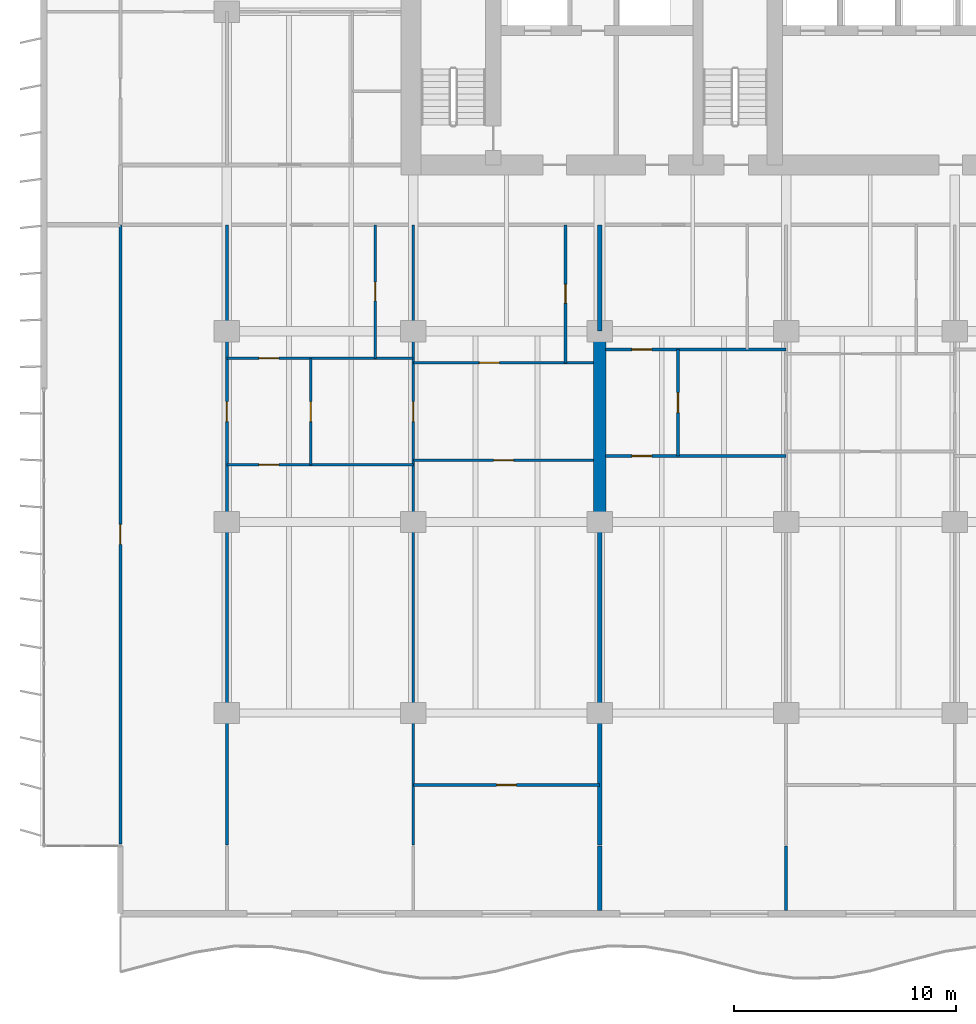
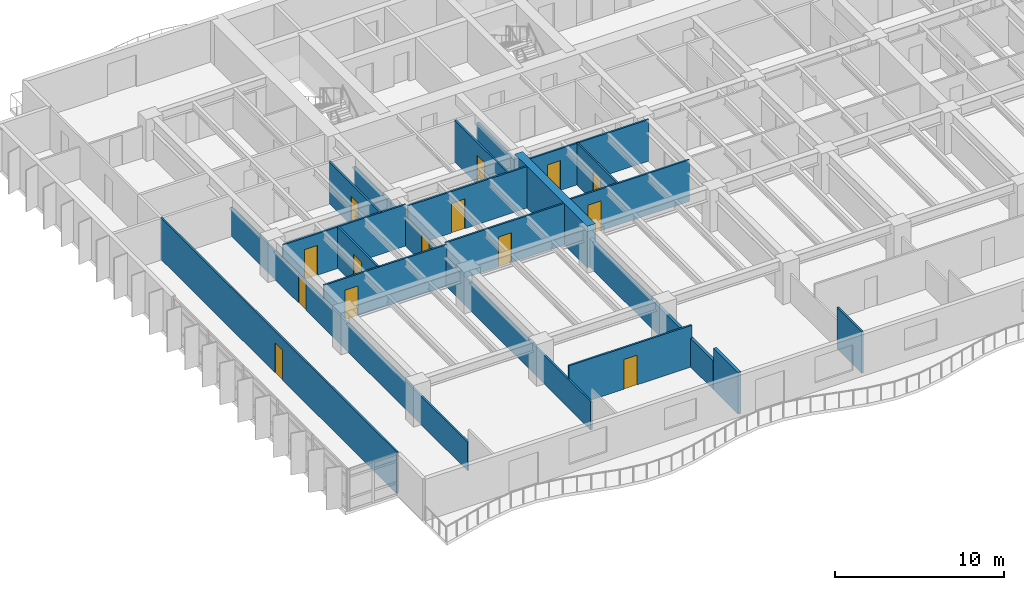
# One storey, part 6 of 15: 19 walls, 14 doors, 14 openings.
"""IFC4 building model written with IfcOpenShell, lengths in metres."""

from ifc_helpers import new_model, si_unit, direction, frame, frame_2d, origin, place, context, subcontext, project, spatial, rectangle, extrude, material, layer, layer_set, type_object, element, fill, save


model = new_model("IFC4")

# Units and contexts
model_context = context("Model", 3, precision=1e-05, world=origin(), true_north=direction((0.0, 1.0)))
body_context = subcontext(model_context, "Body", "Model", "MODEL_VIEW")
ifc_project = project(units=[si_unit("LENGTHUNIT", "METRE"), si_unit("AREAUNIT", "SQUARE_METRE"), si_unit("VOLUMEUNIT", "CUBIC_METRE"), si_unit("PLANEANGLEUNIT", "RADIAN"), si_unit("MASSUNIT", "GRAM", prefix="KILO")], contexts=[model_context])

# Site, building, storey
site_placement = place(None, origin())
site = spatial("IfcSite", under=ifc_project, at=site_placement, CompositionType="ELEMENT")
building_placement = place(site_placement, origin())
building = spatial("IfcBuilding", under=site, at=building_placement, Name="Caelmar Bay Residences", CompositionType="ELEMENT")
storey_placement = place(building_placement, frame((0.0, 0.0, 76.199951171875)))
storey = spatial("IfcBuildingStorey", under=building, at=storey_placement, Name="L20", CompositionType="ELEMENT", Elevation=76.199951171875)

# Wall
ifc_material_1 = material(Name="Concrete f'c 70 MPa (10,000 psi)", Category="concrete")
ifc_layer_1 = layer(ifc_material_1, 0.550048828125)
ifc_layer_set_1 = layer_set([ifc_layer_1], Name="Concrete f'c 70 MPa (10,000 psi)")
wall_type_1 = type_object("IfcWallType", Name="SW-XSLB-550", PredefinedType="SHEAR", material=ifc_layer_set_1)
wall_1_placement = place(storey_placement, frame((26.699951171875, 20.800048828125, 0.0), z_axis=(0.0, 0.0, 1.0), x_axis=(0.0, 1.0, 0.0)))
element("IfcWall", 1, at=wall_1_placement, inside=storey, type_object=wall_type_1, Name="L20 Transverse Cross-Slab Shear Wall W5", PredefinedType="SHEAR", context=body_context, shape_type="SweptSolid", body=[
    extrude(rectangle(XDim=8.599853515625, YDim=0.550048828125, at=frame_2d((4.2998046875, 0.0))), origin(), (0.0, 0.0, 1.0), 3.0),
])

# Wall, opening, door
ifc_material_2 = material(Name="Acoustic metal-stud gypsum partition 120 mm")
ifc_layer_2 = layer(ifc_material_2, 0.1201171875)
ifc_layer_set_2 = layer_set([ifc_layer_2], Name="Acoustic metal-stud gypsum partition 120 mm")
wall_type_2 = type_object("IfcWallType", Name="W-PRT-120", PredefinedType="PARTITIONING", material=ifc_layer_set_2)
wall_2_placement = place(storey_placement, frame((5.10009765625, 6.284912109375, 0.0), z_axis=(0.0, 0.0, 1.0), x_axis=(0.0, 1.0, 0.0)))
wall_2 = element("IfcWall", 2, at=wall_2_placement, inside=storey, type_object=wall_type_2, Name="L20 Partition Wall V001", PredefinedType="PARTITIONING", context=body_context, shape_type="SweptSolid", body=[
    extrude(rectangle(XDim=27.9150390625, YDim=0.1201171875, at=frame_2d((13.95751953125, 0.0))), origin(), (0.0, 0.0, 1.0), 3.0),
])
opening_1_placement = place(wall_2_placement, frame((13.507568359375, 0.0, 0.0)))
opening_1 = element("IfcOpeningElement", 3, at=opening_1_placement, cuts=wall_2, Name="Opening D-L20-158", PredefinedType="OPENING", context=body_context, shape_type="SweptSolid", body=[
    extrude(rectangle(XDim=0.89990234375, YDim=2.14990234375, at=frame_2d((0.449951171875, 1.074951171875))), frame((0.0, 0.070068359375, 0.0), z_axis=(0.0, -1.0, 0.0), x_axis=(1.0, 0.0, 0.0)), (0.0, 0.0, 1.0), 0.14013671875),
])
ifc_material_3 = material(Name="Solid walnut timber interior door leaf and frame", Category="wood")
ifc_layer_3 = layer(ifc_material_3, 0.050048828125)
ifc_layer_set_3 = layer_set([ifc_layer_3], Name="Solid walnut timber interior door leaf and frame")
door_type_1 = type_object("IfcDoorType", Name="D-ROOM-900", OperationType="NOTDEFINED", PredefinedType="DOOR", material=ifc_layer_set_3)
door_1_placement = place(opening_1_placement, origin())
door_1 = element("IfcDoor", 4, at=door_1_placement, inside=storey, type_object=door_type_1, Name="L20 Residence 01 Penthouse West Salon Door", OperationType="SINGLE_SWING_LEFT", OverallHeight=2.14990234375, OverallWidth=0.89990234375, PredefinedType="DOOR", context=body_context, shape_type="SweptSolid", body=[
    extrude(rectangle(XDim=0.89990234375, YDim=2.14990234375, at=frame_2d((0.449951171875, 1.074951171875))), frame((0.0, 0.02490234375, 0.0), z_axis=(0.0, -1.0, 0.0), x_axis=(1.0, 0.0, 0.0)), (0.0, 0.0, 1.0), 0.050048828125),
])
fill(opening_1, door_1)

wall_3_placement = place(storey_placement, frame((9.89990234375, 6.239990234375, 0.0), z_axis=(0.0, 0.0, 1.0), x_axis=(0.0, 1.0, 0.0)))
wall_3 = element("IfcWall", 5, at=wall_3_placement, inside=storey, type_object=wall_type_2, Name="L20 Partition Wall V005", PredefinedType="PARTITIONING", context=body_context, shape_type="SweptSolid", body=[
    extrude(rectangle(XDim=27.9599609375, YDim=0.1201171875, at=frame_2d((13.97998046875, 0.0))), origin(), (0.0, 0.0, 1.0), 2.06005859375),
])
opening_2_placement = place(wall_3_placement, frame((19.090087890625, 0.0, 0.0)))
opening_2 = element("IfcOpeningElement", 6, at=opening_2_placement, cuts=wall_3, Name="Opening D-L20-131", PredefinedType="OPENING", context=body_context, shape_type="SweptSolid", body=[
    extrude(rectangle(XDim=0.89990234375, YDim=2.010009765625, at=frame_2d((0.449951171875, 1.0048828125))), frame((0.0, 0.070068359375, 0.0), z_axis=(0.0, -1.0, 0.0), x_axis=(1.0, 0.0, 0.0)), (0.0, 0.0, 1.0), 0.14013671875),
])
door_2_placement = place(opening_2_placement, origin())
door_2 = element("IfcDoor", 7, at=door_2_placement, inside=storey, type_object=door_type_1, Name="L20 Residence 01 West Apartment Hall Door", OperationType="SINGLE_SWING_RIGHT", OverallHeight=2.010009765625, OverallWidth=0.89990234375, PredefinedType="DOOR", context=body_context, shape_type="SweptSolid", body=[
    extrude(rectangle(XDim=0.89990234375, YDim=2.010009765625, at=frame_2d((0.449951171875, 1.0048828125))), frame((0.0, 0.02490234375, 0.0), z_axis=(0.0, -1.0, 0.0), x_axis=(1.0, 0.0, 0.0)), (0.0, 0.0, 1.0), 0.050048828125),
])
fill(opening_2, door_2)

wall_4_placement = place(storey_placement, frame((13.679931640625, 23.3798828125, 0.0), z_axis=(0.0, 0.0, 1.0), x_axis=(0.0, 1.0, 0.0)))
wall_4 = element("IfcWall", 8, at=wall_4_placement, inside=storey, type_object=wall_type_2, Name="L20 Partition Wall V007", PredefinedType="PARTITIONING", context=body_context, shape_type="SweptSolid", body=[
    extrude(rectangle(XDim=4.800048828125, YDim=0.1201171875, at=frame_2d((2.39990234375, 0.0))), origin(), (0.0, 0.0, 1.0), 3.0),
])
opening_3_placement = place(wall_4_placement, frame((1.949951171875, 0.0, 0.0)))
opening_3 = element("IfcOpeningElement", 9, at=opening_3_placement, cuts=wall_4, Name="Opening D-L20-124", PredefinedType="OPENING", context=body_context, shape_type="SweptSolid", body=[
    extrude(rectangle(XDim=0.89990234375, YDim=2.14990234375, at=frame_2d((0.449951171875, 1.074951171875))), frame((0.0, 0.070068359375, 0.0), z_axis=(0.0, -1.0, 0.0), x_axis=(1.0, 0.0, 0.0)), (0.0, 0.0, 1.0), 0.14013671875),
])
door_3_placement = place(opening_3_placement, origin())
door_3 = element("IfcDoor", 10, at=door_3_placement, inside=storey, type_object=door_type_1, Name="L20 Residence 01 Kitchen Door", OperationType="SINGLE_SWING_LEFT", OverallHeight=2.14990234375, OverallWidth=0.89990234375, PredefinedType="DOOR", context=body_context, shape_type="SweptSolid", body=[
    extrude(rectangle(XDim=0.89990234375, YDim=2.14990234375, at=frame_2d((0.449951171875, 1.074951171875))), frame((0.0, 0.02490234375, 0.0), z_axis=(0.0, -1.0, 0.0), x_axis=(1.0, 0.0, 0.0)), (0.0, 0.0, 1.0), 0.050048828125),
])
fill(opening_3, door_3)

wall_5_placement = place(storey_placement, frame((16.589111328125, 28.179931640625, 0.0), z_axis=(0.0, 0.0, 1.0), x_axis=(0.0, 1.0, 0.0)))
wall_5 = element("IfcWall", 11, at=wall_5_placement, inside=storey, type_object=wall_type_2, Name="L20 Partition Wall V009", PredefinedType="PARTITIONING", context=body_context, shape_type="SweptSolid", body=[
    extrude(rectangle(XDim=6.02001953125, YDim=0.1201171875, at=frame_2d((3.010009765625, 0.0))), origin(), (0.0, 0.0, 1.0), 3.0),
])
opening_4_placement = place(wall_5_placement, frame((2.5849609375, 0.0, 0.0)))
opening_4 = element("IfcOpeningElement", 12, at=opening_4_placement, cuts=wall_5, Name="Opening D-L20-122", PredefinedType="OPENING", context=body_context, shape_type="SweptSolid", body=[
    extrude(rectangle(XDim=0.85009765625, YDim=2.10009765625, at=frame_2d((0.425048828125, 1.050048828125))), frame((0.0, 0.070068359375, 0.0), z_axis=(0.0, -1.0, 0.0), x_axis=(1.0, 0.0, 0.0)), (0.0, 0.0, 1.0), 0.14013671875),
])
ifc_layer_4 = layer(ifc_material_3, 0.050048828125)
ifc_layer_set_4 = layer_set([ifc_layer_4], Name="Solid walnut timber interior door leaf and frame")
door_type_2 = type_object("IfcDoorType", Name="D-BATH-850", OperationType="NOTDEFINED", PredefinedType="DOOR", material=ifc_layer_set_4)
door_4_placement = place(opening_4_placement, origin())
door_4 = element("IfcDoor", 13, at=door_4_placement, inside=storey, type_object=door_type_2, Name="L20 Residence 01 Guest Bathroom Door", OperationType="SINGLE_SWING_LEFT", OverallHeight=2.10009765625, OverallWidth=0.85009765625, PredefinedType="DOOR", context=body_context, shape_type="SweptSolid", body=[
    extrude(rectangle(XDim=0.85009765625, YDim=2.10009765625, at=frame_2d((0.425048828125, 1.050048828125))), frame((0.0, 0.02490234375, 0.0), z_axis=(0.0, -1.0, 0.0), x_axis=(1.0, 0.0, 0.0)), (0.0, 0.0, 1.0), 0.050048828125),
])
fill(opening_4, door_4)

wall_6_placement = place(storey_placement, frame((18.300048828125, 6.239990234375, 0.0), z_axis=(0.0, 0.0, 1.0), x_axis=(0.0, 1.0, 0.0)))
wall_6 = element("IfcWall", 14, at=wall_6_placement, inside=storey, type_object=wall_type_2, Name="L20 Partition Wall V011", PredefinedType="PARTITIONING", context=body_context, shape_type="SweptSolid", body=[
    extrude(rectangle(XDim=27.9599609375, YDim=0.1201171875, at=frame_2d((13.97998046875, 0.0))), origin(), (0.0, 0.0, 1.0), 2.06005859375),
])
opening_5_placement = place(wall_6_placement, frame((19.090087890625, 0.0, 0.0)))
opening_5 = element("IfcOpeningElement", 15, at=opening_5_placement, cuts=wall_6, Name="Opening D-L20-126", PredefinedType="OPENING", context=body_context, shape_type="SweptSolid", body=[
    extrude(rectangle(XDim=0.89990234375, YDim=2.010009765625, at=frame_2d((0.449951171875, 1.0048828125))), frame((0.0, 0.070068359375, 0.0), z_axis=(0.0, -1.0, 0.0), x_axis=(1.0, 0.0, 0.0)), (0.0, 0.0, 1.0), 0.14013671875),
])
door_5_placement = place(opening_5_placement, origin())
door_5 = element("IfcDoor", 16, at=door_5_placement, inside=storey, type_object=door_type_1, Name="L20 Residence 01 Reception Lounge 1 Door", OperationType="SINGLE_SWING_LEFT", OverallHeight=2.010009765625, OverallWidth=0.89990234375, PredefinedType="DOOR", context=body_context, shape_type="SweptSolid", body=[
    extrude(rectangle(XDim=0.89990234375, YDim=2.010009765625, at=frame_2d((0.449951171875, 1.0048828125))), frame((0.0, 0.02490234375, 0.0), z_axis=(0.0, -1.0, 0.0), x_axis=(1.0, 0.0, 0.0)), (0.0, 0.0, 1.0), 0.050048828125),
])
fill(opening_5, door_5)

wall_7_placement = place(storey_placement, frame((25.156982421875, 27.97998046875, 0.0), z_axis=(0.0, 0.0, 1.0), x_axis=(0.0, 1.0, 0.0)))
wall_7 = element("IfcWall", 17, at=wall_7_placement, inside=storey, type_object=wall_type_2, Name="L20 Partition Wall V013", PredefinedType="PARTITIONING", context=body_context, shape_type="SweptSolid", body=[
    extrude(rectangle(XDim=6.219970703125, YDim=0.1201171875, at=frame_2d((3.10986328125, 0.0))), origin(), (0.0, 0.0, 1.0), 3.0),
])
opening_6_placement = place(wall_7_placement, frame((2.68505859375, 0.0, 0.0)))
opening_6 = element("IfcOpeningElement", 18, at=opening_6_placement, cuts=wall_7, Name="Opening D-L20-128", PredefinedType="OPENING", context=body_context, shape_type="SweptSolid", body=[
    extrude(rectangle(XDim=0.85009765625, YDim=2.10009765625, at=frame_2d((0.425048828125, 1.050048828125))), frame((0.0, 0.070068359375, 0.0), z_axis=(0.0, -1.0, 0.0), x_axis=(1.0, 0.0, 0.0)), (0.0, 0.0, 1.0), 0.14013671875),
])
door_6_placement = place(opening_6_placement, origin())
door_6 = element("IfcDoor", 19, at=door_6_placement, inside=storey, type_object=door_type_2, Name="L20 Residence 01 En-Suite Bathroom 1 Door", OperationType="SINGLE_SWING_LEFT", OverallHeight=2.10009765625, OverallWidth=0.85009765625, PredefinedType="DOOR", context=body_context, shape_type="SweptSolid", body=[
    extrude(rectangle(XDim=0.85009765625, YDim=2.10009765625, at=frame_2d((0.425048828125, 1.050048828125))), frame((0.0, 0.02490234375, 0.0), z_axis=(0.0, -1.0, 0.0), x_axis=(1.0, 0.0, 0.0)), (0.0, 0.0, 1.0), 0.050048828125),
])
fill(opening_6, door_6)

wall_8_placement = place(storey_placement, frame((30.22802734375, 23.780029296875, 0.0), z_axis=(0.0, 0.0, 1.0), x_axis=(0.0, 1.0, 0.0)))
wall_8 = element("IfcWall", 20, at=wall_8_placement, inside=storey, type_object=wall_type_2, Name="L20 Partition Wall V020", PredefinedType="PARTITIONING", context=body_context, shape_type="SweptSolid", body=[
    extrude(rectangle(XDim=4.800048828125, YDim=0.1201171875, at=frame_2d((2.39990234375, 0.0))), origin(), (0.0, 0.0, 1.0), 3.0),
])
opening_7_placement = place(wall_8_placement, frame((1.949951171875, 0.0, 0.0)))
opening_7 = element("IfcOpeningElement", 21, at=opening_7_placement, cuts=wall_8, Name="Opening D-L20-135", PredefinedType="OPENING", context=body_context, shape_type="SweptSolid", body=[
    extrude(rectangle(XDim=0.89990234375, YDim=2.14990234375, at=frame_2d((0.449951171875, 1.074951171875))), frame((0.0, 0.070068359375, 0.0), z_axis=(0.0, -1.0, 0.0), x_axis=(1.0, 0.0, 0.0)), (0.0, 0.0, 1.0), 0.14013671875),
])
door_7_placement = place(opening_7_placement, origin())
door_7 = element("IfcDoor", 22, at=door_7_placement, inside=storey, type_object=door_type_1, Name="L20 Residence 02 Kitchen Door", OperationType="SINGLE_SWING_RIGHT", OverallHeight=2.14990234375, OverallWidth=0.89990234375, PredefinedType="DOOR", context=body_context, shape_type="SweptSolid", body=[
    extrude(rectangle(XDim=0.89990234375, YDim=2.14990234375, at=frame_2d((0.449951171875, 1.074951171875))), frame((0.0, 0.02490234375, 0.0), z_axis=(0.0, -1.0, 0.0), x_axis=(1.0, 0.0, 0.0)), (0.0, 0.0, 1.0), 0.050048828125),
])
fill(opening_7, door_7)

# Wall
wall_9_placement = place(storey_placement, frame((35.10009765625, 3.294921875, 0.0), z_axis=(0.0, 0.0, 1.0), x_axis=(0.0, 1.0, 0.0)))
element("IfcWall", 23, at=wall_9_placement, inside=storey, type_object=wall_type_2, Name="L20 Partition Wall V023", PredefinedType="PARTITIONING", context=body_context, shape_type="SweptSolid", body=[
    extrude(rectangle(XDim=2.905029296875, YDim=0.1201171875, at=frame_2d((1.45263671875, 0.0))), origin(), (0.0, 0.0, 1.0), 3.0),
])

# Wall, opening, door
wall_10_placement = place(storey_placement, frame((18.300048828125, 8.949951171875, 0.0), z_axis=(0.0, 0.0, 1.0), x_axis=(1.0, 0.0, 0.0)))
wall_10 = element("IfcWall", 24, at=wall_10_placement, inside=storey, type_object=wall_type_2, Name="L20 Partition Wall H056", PredefinedType="PARTITIONING", context=body_context, shape_type="SweptSolid", body=[
    extrude(rectangle(XDim=8.39990234375, YDim=0.1201171875, at=frame_2d((4.199951171875, 0.0))), origin(), (0.0, 0.0, 1.0), 3.0),
])
opening_8_placement = place(wall_10_placement, frame((3.75, 0.0, 0.0)))
opening_8 = element("IfcOpeningElement", 25, at=opening_8_placement, cuts=wall_10, Name="Opening D-L20-130", PredefinedType="OPENING", context=body_context, shape_type="SweptSolid", body=[
    extrude(rectangle(XDim=0.89990234375, YDim=2.14990234375, at=frame_2d((0.449951171875, 1.074951171875))), frame((0.0, 0.070068359375, 0.0), z_axis=(0.0, -1.0, 0.0), x_axis=(1.0, 0.0, 0.0)), (0.0, 0.0, 1.0), 0.14013671875),
])
door_8_placement = place(opening_8_placement, origin())
door_8 = element("IfcDoor", 26, at=door_8_placement, inside=storey, type_object=door_type_1, Name="L20 Residence 01 Primary Bedroom 1 Door", OperationType="SINGLE_SWING_LEFT", OverallHeight=2.14990234375, OverallWidth=0.89990234375, PredefinedType="DOOR", context=body_context, shape_type="SweptSolid", body=[
    extrude(rectangle(XDim=0.89990234375, YDim=2.14990234375, at=frame_2d((0.449951171875, 1.074951171875))), frame((0.0, 0.02490234375, 0.0), z_axis=(0.0, -1.0, 0.0), x_axis=(1.0, 0.0, 0.0)), (0.0, 0.0, 1.0), 0.050048828125),
])
fill(opening_8, door_8)

wall_11_placement = place(storey_placement, frame((9.89990234375, 23.3798828125, 0.0), z_axis=(0.0, 0.0, 1.0), x_axis=(1.0, 0.0, 0.0)))
wall_11 = element("IfcWall", 27, at=wall_11_placement, inside=storey, type_object=wall_type_2, Name="L20 Partition Wall H059", PredefinedType="PARTITIONING", context=body_context, shape_type="SweptSolid", body=[
    extrude(rectangle(XDim=8.400146484375, YDim=0.1201171875, at=frame_2d((4.2001953125, 0.0))), origin(), (0.0, 0.0, 1.0), 3.0),
])
opening_9_placement = place(wall_11_placement, frame((1.43994140625, 0.0, 0.0)))
opening_9 = element("IfcOpeningElement", 28, at=opening_9_placement, cuts=wall_11, Name="Opening D-L20-125", PredefinedType="OPENING", context=body_context, shape_type="SweptSolid", body=[
    extrude(rectangle(XDim=0.89990234375, YDim=2.14990234375, at=frame_2d((0.449951171875, 1.074951171875))), frame((0.0, 0.070068359375, 0.0), z_axis=(0.0, -1.0, 0.0), x_axis=(1.0, 0.0, 0.0)), (0.0, 0.0, 1.0), 0.14013671875),
])
door_9_placement = place(opening_9_placement, origin())
door_9 = element("IfcDoor", 29, at=door_9_placement, inside=storey, type_object=door_type_1, Name="L20 Residence 01 Penthouse Living Salon Door", OperationType="SINGLE_SWING_RIGHT", OverallHeight=2.14990234375, OverallWidth=0.89990234375, PredefinedType="DOOR", context=body_context, shape_type="SweptSolid", body=[
    extrude(rectangle(XDim=0.89990234375, YDim=2.14990234375, at=frame_2d((0.449951171875, 1.074951171875))), frame((0.0, 0.02490234375, 0.0), z_axis=(0.0, -1.0, 0.0), x_axis=(1.0, 0.0, 0.0)), (0.0, 0.0, 1.0), 0.050048828125),
])
fill(opening_9, door_9)

wall_12_placement = place(storey_placement, frame((18.304931640625, 23.580078125, 0.0), z_axis=(0.0, 0.0, 1.0), x_axis=(1.0, 0.0, 0.0)))
wall_12 = element("IfcWall", 30, at=wall_12_placement, inside=storey, type_object=wall_type_2, Name="L20 Partition Wall H061", PredefinedType="PARTITIONING", context=body_context, shape_type="SweptSolid", body=[
    extrude(rectangle(XDim=8.125, YDim=0.1201171875, at=frame_2d((4.0625, 0.0))), origin(), (0.0, 0.0, 1.0), 3.0),
])
opening_10_placement = place(wall_12_placement, frame((3.612548828125, 0.0, 0.0)))
opening_10 = element("IfcOpeningElement", 31, at=opening_10_placement, cuts=wall_12, Name="Opening D-L20-129", PredefinedType="OPENING", context=body_context, shape_type="SweptSolid", body=[
    extrude(rectangle(XDim=0.89990234375, YDim=2.14990234375, at=frame_2d((0.449951171875, 1.074951171875))), frame((0.0, 0.070068359375, 0.0), z_axis=(0.0, -1.0, 0.0), x_axis=(1.0, 0.0, 0.0)), (0.0, 0.0, 1.0), 0.14013671875),
])
door_10_placement = place(opening_10_placement, origin())
door_10 = element("IfcDoor", 32, at=door_10_placement, inside=storey, type_object=door_type_1, Name="L20 Residence 01 Penthouse Sitting Salon 1 Door", OperationType="SINGLE_SWING_RIGHT", OverallHeight=2.14990234375, OverallWidth=0.89990234375, PredefinedType="DOOR", context=body_context, shape_type="SweptSolid", body=[
    extrude(rectangle(XDim=0.89990234375, YDim=2.14990234375, at=frame_2d((0.449951171875, 1.074951171875))), frame((0.0, 0.02490234375, 0.0), z_axis=(0.0, -1.0, 0.0), x_axis=(1.0, 0.0, 0.0)), (0.0, 0.0, 1.0), 0.050048828125),
])
fill(opening_10, door_10)

wall_13_placement = place(storey_placement, frame((26.969970703125, 23.780029296875, 0.0), z_axis=(0.0, 0.0, 1.0), x_axis=(1.0, 0.0, 0.0)))
wall_13 = element("IfcWall", 33, at=wall_13_placement, inside=storey, type_object=wall_type_2, Name="L20 Partition Wall H063", PredefinedType="PARTITIONING", context=body_context, shape_type="SweptSolid", body=[
    extrude(rectangle(XDim=8.130126953125, YDim=0.1201171875, at=frame_2d((4.06494140625, 0.0))), origin(), (0.0, 0.0, 1.0), 3.0),
])
opening_11_placement = place(wall_13_placement, frame((1.178955078125, 0.0, 0.0)))
opening_11 = element("IfcOpeningElement", 34, at=opening_11_placement, cuts=wall_13, Name="Opening D-L20-136", PredefinedType="OPENING", context=body_context, shape_type="SweptSolid", body=[
    extrude(rectangle(XDim=0.89990234375, YDim=2.14990234375, at=frame_2d((0.449951171875, 1.074951171875))), frame((0.0, 0.070068359375, 0.0), z_axis=(0.0, -1.0, 0.0), x_axis=(1.0, 0.0, 0.0)), (0.0, 0.0, 1.0), 0.14013671875),
])
door_11_placement = place(opening_11_placement, origin())
door_11 = element("IfcDoor", 35, at=door_11_placement, inside=storey, type_object=door_type_1, Name="L20 Residence 02 Penthouse Living Salon Door", OperationType="SINGLE_SWING_LEFT", OverallHeight=2.14990234375, OverallWidth=0.89990234375, PredefinedType="DOOR", context=body_context, shape_type="SweptSolid", body=[
    extrude(rectangle(XDim=0.89990234375, YDim=2.14990234375, at=frame_2d((0.449951171875, 1.074951171875))), frame((0.0, 0.02490234375, 0.0), z_axis=(0.0, -1.0, 0.0), x_axis=(1.0, 0.0, 0.0)), (0.0, 0.0, 1.0), 0.050048828125),
])
fill(opening_11, door_11)

wall_14_placement = place(storey_placement, frame((18.300048828125, 27.97998046875, 0.0), z_axis=(0.0, 0.0, 1.0), x_axis=(1.0, 0.0, 0.0)))
wall_14 = element("IfcWall", 36, at=wall_14_placement, inside=storey, type_object=wall_type_2, Name="L20 Partition Wall H066", PredefinedType="PARTITIONING", context=body_context, shape_type="SweptSolid", body=[
    extrude(rectangle(XDim=8.1298828125, YDim=0.1201171875, at=frame_2d((4.06494140625, 0.0))), origin(), (0.0, 0.0, 1.0), 3.0),
])
opening_12_placement = place(wall_14_placement, frame((2.978515625, 0.0, 0.0)))
opening_12 = element("IfcOpeningElement", 37, at=opening_12_placement, cuts=wall_14, Name="Opening D-L20-127", PredefinedType="OPENING", context=body_context, shape_type="SweptSolid", body=[
    extrude(rectangle(XDim=0.89990234375, YDim=2.14990234375, at=frame_2d((0.449951171875, 1.074951171875))), frame((0.0, 0.070068359375, 0.0), z_axis=(0.0, -1.0, 0.0), x_axis=(1.0, 0.0, 0.0)), (0.0, 0.0, 1.0), 0.14013671875),
])
door_12_placement = place(opening_12_placement, origin())
door_12 = element("IfcDoor", 38, at=door_12_placement, inside=storey, type_object=door_type_1, Name="L20 Residence 01 Private Reception Room 1 Door", OperationType="SINGLE_SWING_RIGHT", OverallHeight=2.14990234375, OverallWidth=0.89990234375, PredefinedType="DOOR", context=body_context, shape_type="SweptSolid", body=[
    extrude(rectangle(XDim=0.89990234375, YDim=2.14990234375, at=frame_2d((0.449951171875, 1.074951171875))), frame((0.0, 0.02490234375, 0.0), z_axis=(0.0, -1.0, 0.0), x_axis=(1.0, 0.0, 0.0)), (0.0, 0.0, 1.0), 0.050048828125),
])
fill(opening_12, door_12)

wall_15_placement = place(storey_placement, frame((9.89990234375, 28.179931640625, 0.0), z_axis=(0.0, 0.0, 1.0), x_axis=(1.0, 0.0, 0.0)))
wall_15 = element("IfcWall", 39, at=wall_15_placement, inside=storey, type_object=wall_type_2, Name="L20 Partition Wall H068", PredefinedType="PARTITIONING", context=body_context, shape_type="SweptSolid", body=[
    extrude(rectangle(XDim=8.39501953125, YDim=0.1201171875, at=frame_2d((4.197509765625, 0.0))), origin(), (0.0, 0.0, 1.0), 3.0),
])
opening_13_placement = place(wall_15_placement, frame((1.43994140625, 0.0, 0.0)))
opening_13 = element("IfcOpeningElement", 40, at=opening_13_placement, cuts=wall_15, Name="Opening D-L20-123", PredefinedType="OPENING", context=body_context, shape_type="SweptSolid", body=[
    extrude(rectangle(XDim=0.89990234375, YDim=2.14990234375, at=frame_2d((0.449951171875, 1.074951171875))), frame((0.0, 0.070068359375, 0.0), z_axis=(0.0, -1.0, 0.0), x_axis=(1.0, 0.0, 0.0)), (0.0, 0.0, 1.0), 0.14013671875),
])
door_13_placement = place(opening_13_placement, origin())
door_13 = element("IfcDoor", 41, at=door_13_placement, inside=storey, type_object=door_type_1, Name="L20 Residence 01 Dining Room Door", OperationType="SINGLE_SWING_RIGHT", OverallHeight=2.14990234375, OverallWidth=0.89990234375, PredefinedType="DOOR", context=body_context, shape_type="SweptSolid", body=[
    extrude(rectangle(XDim=0.89990234375, YDim=2.14990234375, at=frame_2d((0.449951171875, 1.074951171875))), frame((0.0, 0.02490234375, 0.0), z_axis=(0.0, -1.0, 0.0), x_axis=(1.0, 0.0, 0.0)), (0.0, 0.0, 1.0), 0.050048828125),
])
fill(opening_13, door_13)

wall_16_placement = place(storey_placement, frame((26.969970703125, 28.580078125, 0.0), z_axis=(0.0, 0.0, 1.0), x_axis=(1.0, 0.0, 0.0)))
wall_16 = element("IfcWall", 42, at=wall_16_placement, inside=storey, type_object=wall_type_2, Name="L20 Partition Wall H071", PredefinedType="PARTITIONING", context=body_context, shape_type="SweptSolid", body=[
    extrude(rectangle(XDim=8.125, YDim=0.1201171875, at=frame_2d((4.0625, 0.0))), origin(), (0.0, 0.0, 1.0), 3.0),
])
opening_14_placement = place(wall_16_placement, frame((1.178955078125, 0.0, 0.0)))
opening_14 = element("IfcOpeningElement", 43, at=opening_14_placement, cuts=wall_16, Name="Opening D-L20-134", PredefinedType="OPENING", context=body_context, shape_type="SweptSolid", body=[
    extrude(rectangle(XDim=0.89990234375, YDim=2.14990234375, at=frame_2d((0.449951171875, 1.074951171875))), frame((0.0, 0.070068359375, 0.0), z_axis=(0.0, -1.0, 0.0), x_axis=(1.0, 0.0, 0.0)), (0.0, 0.0, 1.0), 0.14013671875),
])
door_14_placement = place(opening_14_placement, origin())
door_14 = element("IfcDoor", 44, at=door_14_placement, inside=storey, type_object=door_type_1, Name="L20 Residence 02 Dining Room Door", OperationType="SINGLE_SWING_LEFT", OverallHeight=2.14990234375, OverallWidth=0.89990234375, PredefinedType="DOOR", context=body_context, shape_type="SweptSolid", body=[
    extrude(rectangle(XDim=0.89990234375, YDim=2.14990234375, at=frame_2d((0.449951171875, 1.074951171875))), frame((0.0, 0.02490234375, 0.0), z_axis=(0.0, -1.0, 0.0), x_axis=(1.0, 0.0, 0.0)), (0.0, 0.0, 1.0), 0.050048828125),
])
fill(opening_14, door_14)

# Walls
ifc_material_4 = material(Name="Acoustic twin-stud fire-rated inter-tenancy partition 200 mm")
ifc_layer_5 = layer(ifc_material_4, 0.199951171875)
ifc_layer_set_5 = layer_set([ifc_layer_5], Name="Acoustic twin-stud fire-rated inter-tenancy partition 200 mm")
wall_type_3 = type_object("IfcWallType", Name="W-PTY-200", PredefinedType="PARTITIONING", material=ifc_layer_set_5)
wall_17_placement = place(storey_placement, frame((26.699951171875, 3.294921875, 0.0), z_axis=(0.0, 0.0, 1.0), x_axis=(0.0, 1.0, 0.0)))
element("IfcWall", 45, at=wall_17_placement, inside=storey, type_object=wall_type_3, Name="L20 Partition Wall V015", PredefinedType="PARTITIONING", context=body_context, shape_type="SweptSolid", body=[
    extrude(rectangle(XDim=2.905029296875, YDim=0.199951171875, at=frame_2d((1.45263671875, 0.0))), origin(), (0.0, 0.0, 1.0), 3.0),
])
wall_18_placement = place(storey_placement, frame((26.699951171875, 6.239990234375, 0.0), z_axis=(0.0, 0.0, 1.0), x_axis=(0.0, 1.0, 0.0)))
element("IfcWall", 46, at=wall_18_placement, inside=storey, type_object=wall_type_3, Name="L20 Partition Wall V016", PredefinedType="PARTITIONING", context=body_context, shape_type="SweptSolid", body=[
    extrude(rectangle(XDim=14.554931640625, YDim=0.199951171875, at=frame_2d((7.27734375, 0.0))), origin(), (0.0, 0.0, 1.0), 2.06005859375),
])
wall_19_placement = place(storey_placement, frame((26.699951171875, 29.405029296875, 0.0), z_axis=(0.0, 0.0, 1.0), x_axis=(0.0, 1.0, 0.0)))
element("IfcWall", 47, at=wall_19_placement, inside=storey, type_object=wall_type_3, Name="L20 Partition Wall V017", PredefinedType="PARTITIONING", context=body_context, shape_type="SweptSolid", body=[
    extrude(rectangle(XDim=4.794921875, YDim=0.199951171875, at=frame_2d((2.3974609375, 0.0))), origin(), (0.0, 0.0, 1.0), 2.28515625),
])

save(model, "model.ifc")
